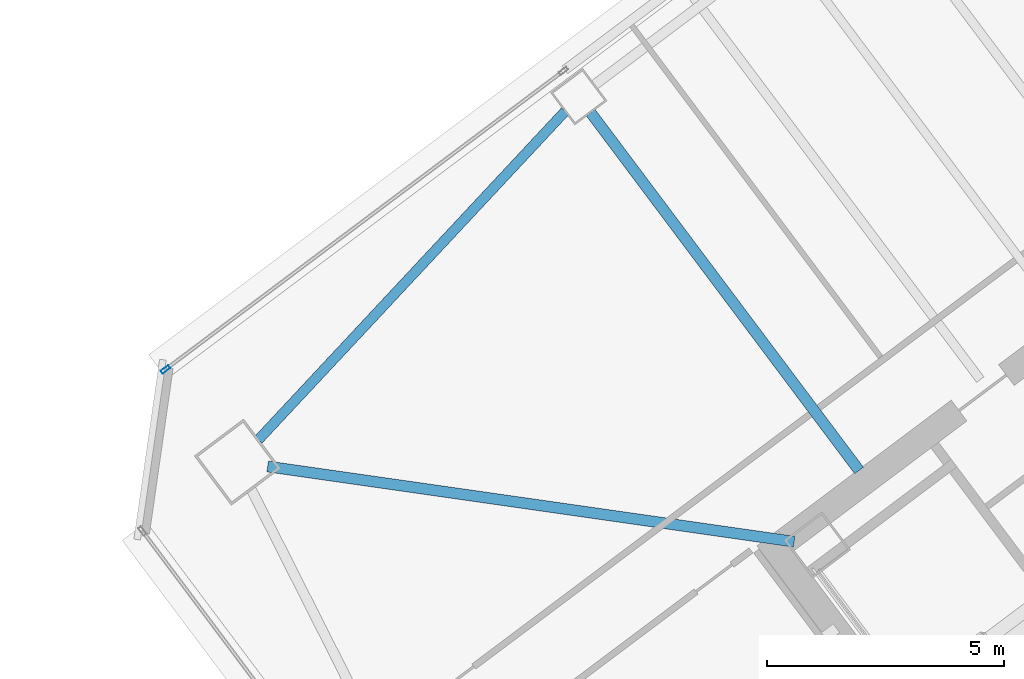
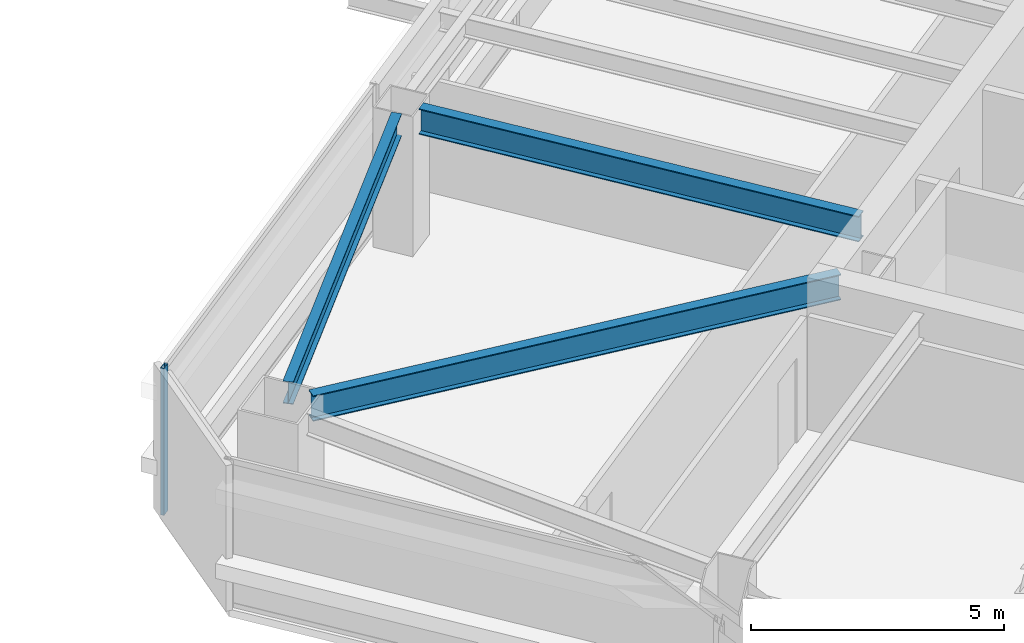
# One storey, part 21 of 42: 3 beams, 1 member, 1 element without a shape of its own.
"""IFC4 building model written with IfcOpenShell, lengths in metres."""

from ifc_helpers import new_model, si_unit, direction, frame, origin, origin_2d, place, context, subcontext, project, spatial, hollow_rectangle, i_section, extrude, material, material_profile, profile_set, type_object, element, aggregate, save


model = new_model("IFC4")

# Units and contexts
model_context = context("Model", 3, precision=1e-05, world=origin(), true_north=direction((0.0, 1.0)))
body_context = subcontext(model_context, "Body", "Model", "MODEL_VIEW")
ifc_project = project(units=[si_unit("LENGTHUNIT", "METRE"), si_unit("AREAUNIT", "SQUARE_METRE"), si_unit("VOLUMEUNIT", "CUBIC_METRE"), si_unit("PLANEANGLEUNIT", "RADIAN"), si_unit("MASSUNIT", "GRAM", prefix="KILO")], contexts=[model_context])

# Site, building, storey
site_placement = place(None, origin())
site = spatial("IfcSite", under=ifc_project, at=site_placement, CompositionType="ELEMENT")
building_placement = place(site_placement, origin())
building = spatial("IfcBuilding", under=site, at=building_placement, Name="Tashvorn Skyway Center", CompositionType="ELEMENT")
storey_placement = place(building_placement, frame((0.0, 0.0, 121.5)))
storey = spatial("IfcBuildingStorey", under=building, at=storey_placement, Name="L32", CompositionType="ELEMENT", Elevation=121.5)

# Beams
ifc_material_1 = material(Name="Steel ASTM A992 Grade 50", Category="steel")
ifc_material_profile_1 = material_profile(ifc_material_1, i_section(OverallWidth=0.22998046875, OverallDepth=0.616943359375, WebThickness=0.01318359375, FlangeThickness=0.022216796875, at=origin_2d()), Name="W24X94")
ifc_profile_set_1 = profile_set([ifc_material_profile_1], Name="Steel ASTM A992 Grade 50")
beam_type_1 = type_object("IfcBeamType", Name="BM-BEAM-W24X94", PredefinedType="BEAM", material=ifc_profile_set_1)
beam_1_placement = place(storey_placement, frame((92.5185546875, 35.06884765625, 3.0615234375), z_axis=(0.989948189712, -0.141430483583, 0.0), x_axis=(0.141430483583, 0.989948189712, 0.0)))
element("IfcBeam", 1, at=beam_1_placement, inside=storey, type_object=beam_type_1, Name="Tower 2 L32 Primary Floor Girder MC-NW", PredefinedType="BEAM", context=body_context, shape_type="SweptSolid", body=[
    extrude(i_section(OverallWidth=0.22998046875, OverallDepth=0.616943359375, WebThickness=0.01318359375, FlangeThickness=0.022216796875, at=origin_2d()), origin(), (0.0, 0.0, 1.0), 11.234375),
])
beam_2_placement = place(storey_placement, frame((99.342041015625, 42.5439453125, 3.0615234375), z_axis=(0.599991732772, -0.800006200354, 0.0), x_axis=(0.800006200354, 0.599991732772, 0.0)))
element("IfcBeam", 2, at=beam_2_placement, inside=storey, type_object=beam_type_1, Name="Tower 2 L32 Primary Floor Girder FC-N2", PredefinedType="BEAM", context=body_context, shape_type="SweptSolid", body=[
    extrude(i_section(OverallWidth=0.22998046875, OverallDepth=0.616943359375, WebThickness=0.01318359375, FlangeThickness=0.022216796875, at=origin_2d()), origin(), (0.0, 0.0, 1.0), 9.449951171875),
])
ifc_material_profile_2 = material_profile(ifc_material_1, i_section(OverallWidth=0.2109375, OverallDepth=0.5390625, WebThickness=0.01171875, FlangeThickness=0.018798828125, at=origin_2d()), Name="W21X73")
ifc_profile_set_2 = profile_set([ifc_material_profile_2], Name="Steel ASTM A992 Grade 50")
beam_type_2 = type_object("IfcBeamType", Name="BM-SPANDREL-W21X73", PredefinedType="SPANDREL", material=ifc_profile_set_2)
beam_3_placement = place(storey_placement, frame((98.80322265625, 42.572998046875, 3.1005859375), z_axis=(-0.682545341102, -0.730843250868, 0.0), x_axis=(0.730843250868, -0.682545341102, 0.0)))
element("IfcBeam", 3, at=beam_3_placement, inside=storey, type_object=beam_type_2, Name="Tower 2 L32 Spandrel Beam 09", PredefinedType="SPANDREL", context=body_context, shape_type="SweptSolid", body=[
    extrude(i_section(OverallWidth=0.2109375, OverallDepth=0.5390625, WebThickness=0.01171875, FlangeThickness=0.018798828125, at=origin_2d()), origin(), (0.0, 0.0, 1.0), 9.498046875),
])

# Curtain wall, member
ifc_material_2 = material(Name="Thermally broken bronze-anodized aluminium 6063-T6", Category="aluminium")
curtain_wall_type = type_object("IfcCurtainWallType", Name="CW-CW-Z3", PredefinedType="NOTDEFINED", material=ifc_material_2)
curtain_wall_placement = place(storey_placement, origin())
curtain_wall = element("IfcCurtainWall", 4, at=curtain_wall_placement, inside=storey, type_object=curtain_wall_type, Name="Tower 2 L32 North Unitised Curtain Wall Glazing Group 1", PredefinedType="NOTDEFINED")
ifc_material_profile_3 = material_profile(ifc_material_2, hollow_rectangle(XDim=0.074951171875, YDim=0.199951171875, WallThickness=0.00439453125, at=origin_2d()), Name="ALU-MULL-75x200")
ifc_profile_set_3 = profile_set([ifc_material_profile_3], Name="Thermally broken bronze-anodized aluminium 6063-T6")
member_type = type_object("IfcMemberType", Name="CWM-CW-Z3", PredefinedType="MULLION", material=ifc_profile_set_3)
member_placement = place(storey_placement, frame((90.35791015625, 37.118408203125, 0.0), z_axis=(0.0, 0.0, 1.0), x_axis=(-0.600001511345, 0.799998866489, 0.0)))
member = element("IfcMember", 5, at=member_placement, type_object=member_type, Name="CW-Z3 mullion 1", PredefinedType="MULLION", context=body_context, shape_type="SweptSolid", body=[
    extrude(hollow_rectangle(XDim=0.074951171875, YDim=0.199951171875, WallThickness=0.00439453125, at=origin_2d()), origin(), (0.0, 0.0, 1.0), 3.550048828125),
])
aggregate(curtain_wall, [member])

save(model, "model.ifc")
